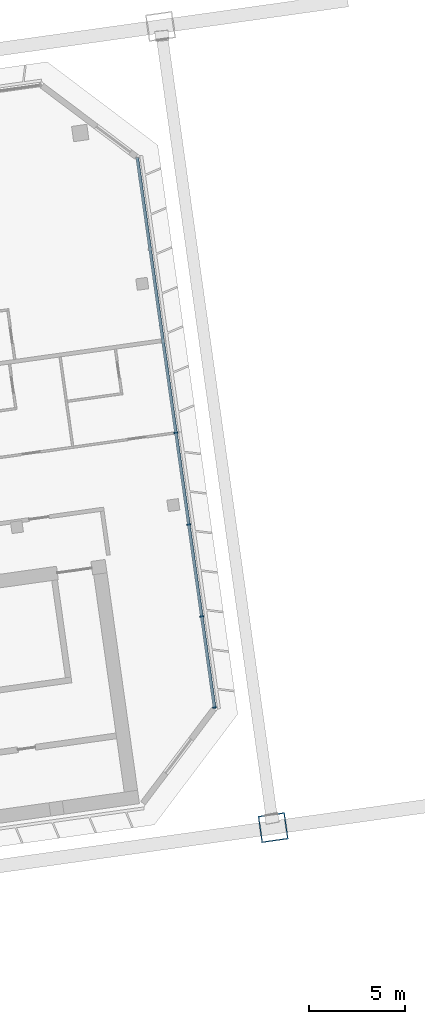
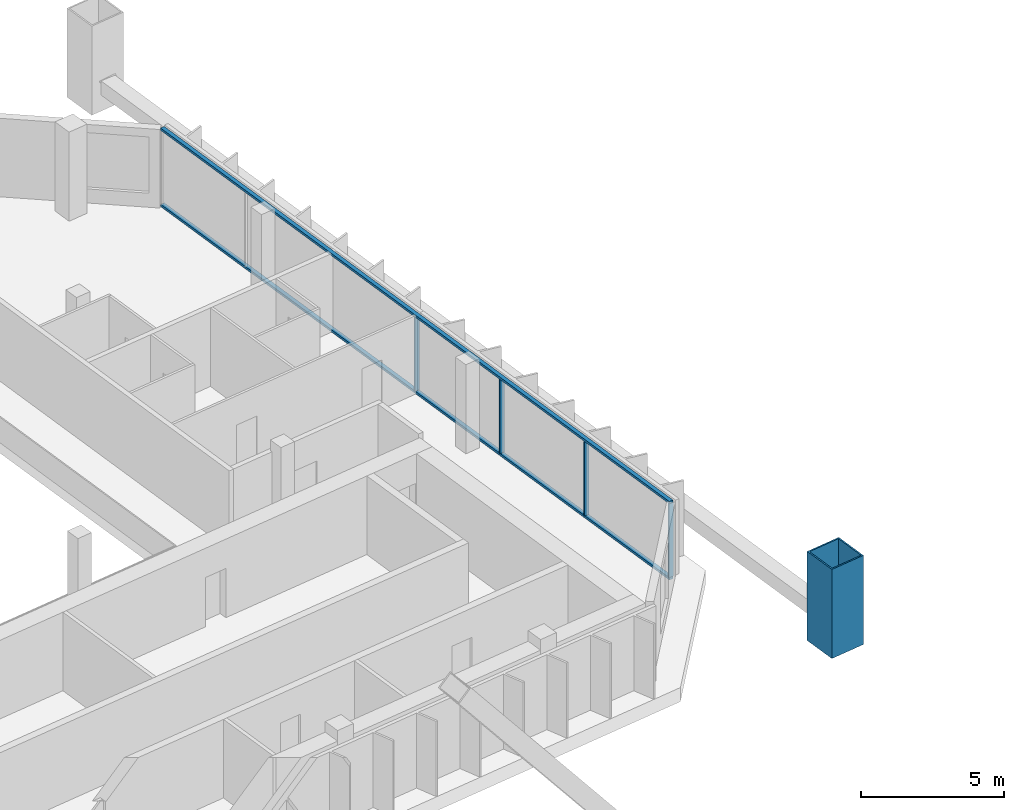
# One storey, part 16 of 38: 7 members, 1 element without a shape of its own.
"""IFC4 building model written with IfcOpenShell, lengths in metres."""

import ifcopenshell
import ifcopenshell.guid

model = None  # the IFC model being written
_history = None  # IfcOwnerHistory: only IFC2X3 demands one
_inside = {}  # id of a spatial element -> (the spatial element, [elements in it])
_under = {}  # id of a project, library or spatial element -> (it, [spatial elements below it])
_declared = {}  # id of a project -> (the project, [libraries it declares])
_typed = {}  # id of a type object -> (the type object, [elements of that type])
_made_of = {}  # id of a material, layer set ... -> (it, [elements and type objects made of it])


def new_model(schema):
    """Start an empty IFC model of exactly this schema.

    Asked for "IFC4X3", IfcOpenShell would pick the latest addendum, in which some entities
    have other attributes; the version numbers below select the first issue.
    IFC2X3 requires an IfcOwnerHistory on every rooted entity: one is made here for all.
    """
    global model, _history
    if schema == "IFC4X3":
        model = ifcopenshell.file(schema_version=(4, 3, 0, 0))
    else:
        model = ifcopenshell.file(schema=schema)
    _inside.clear()
    _under.clear()
    _declared.clear()
    _typed.clear()
    _made_of.clear()
    _history = None
    if model.schema == "IFC2X3":
        org = make("IfcOrganization", Name="unknown")
        user = make(
            "IfcPersonAndOrganization",
            ThePerson=make("IfcPerson", FamilyName="unknown"),
            TheOrganization=org,
        )
        app = make(
            "IfcApplication",
            ApplicationDeveloper=org,
            Version="unknown",
            ApplicationFullName="unknown",
            ApplicationIdentifier="unknown",
        )
        _history = make(
            "IfcOwnerHistory",
            OwningUser=user,
            OwningApplication=app,
            ChangeAction="ADDED",
            CreationDate=0,
        )
    return model


def make(cls, **values):
    """One entity of the class cls with the attributes given. An attribute that is None is left unset."""
    return model.create_entity(
        cls, **{name: value for name, value in values.items() if value is not None}
    )


def rooted(cls, **values):
    """An entity with a GlobalId (a new one), such as an element, a storey or a relation."""
    return make(cls, GlobalId=ifcopenshell.guid.new(), OwnerHistory=_history, **values)


def si_unit(unit_type, name, prefix=None):
    """IfcSIUnit, for example si_unit("LENGTHUNIT", "METRE", prefix="MILLI")."""
    return make("IfcSIUnit", UnitType=unit_type, Prefix=prefix, Name=name)


def assignment(units):
    """IfcUnitAssignment: the units of a project."""
    return None if units is None else make("IfcUnitAssignment", Units=units)


def point(xyz):
    """IfcCartesianPoint."""
    return None if xyz is None else make("IfcCartesianPoint", Coordinates=xyz)


def direction(xyz):
    """IfcDirection."""
    return None if xyz is None else make("IfcDirection", DirectionRatios=xyz)


def frame(location, z_axis=None, x_axis=None):
    """IfcAxis2Placement3D, a coordinate frame: its origin and axes. An axis left out is left unset."""
    return make(
        "IfcAxis2Placement3D",
        Location=point(location),
        Axis=direction(z_axis),
        RefDirection=direction(x_axis),
    )


def frame_2d(location, x_axis=None):
    """IfcAxis2Placement2D, a coordinate frame in the plane: its origin and x axis."""
    return make(
        "IfcAxis2Placement2D", Location=point(location), RefDirection=direction(x_axis)
    )


def origin():
    """The frame at (0, 0, 0) with its axes left unset."""
    return frame((0.0, 0.0, 0.0))


def origin_2d():
    """The frame at (0, 0) in the plane with its x axis left unset."""
    return frame_2d((0.0, 0.0))


def place(relative_to, where):
    """IfcLocalPlacement: puts the frame where relative to a parent placement (None: the world)."""
    return make(
        "IfcLocalPlacement", PlacementRelTo=relative_to, RelativePlacement=where
    )


def context(
    kind, dimensions, precision=None, world=None, true_north=None, identifier=None
):
    """IfcGeometricRepresentationContext, for example the 3D "Model" context."""
    return make(
        "IfcGeometricRepresentationContext",
        ContextIdentifier=identifier,
        ContextType=kind,
        CoordinateSpaceDimension=dimensions,
        Precision=precision,
        WorldCoordinateSystem=world,
        TrueNorth=true_north,
    )


def subcontext(parent, identifier, kind, view, scale=None):
    """IfcGeometricRepresentationSubContext, for example "Body" below "Model"."""
    return make(
        "IfcGeometricRepresentationSubContext",
        ContextIdentifier=identifier,
        ContextType=kind,
        ParentContext=parent,
        TargetScale=scale,
        TargetView=view,
    )


def project(units=None, contexts=None):
    """IfcProject with its units and contexts."""
    return rooted(
        "IfcProject",
        Name="project",
        RepresentationContexts=contexts,
        UnitsInContext=assignment(units),
    )


def spatial(cls, under=None, at=None, **own):
    """A site, building, storey or space (cls), placed at a placement, below another one or the project."""
    s = rooted(cls, ObjectPlacement=at, **own)
    if under is not None:
        _under.setdefault(under.id(), (under, []))[1].append(s)
    return s


def profile(cls, at=None, kind="AREA", **sizes):
    """A parametric profile (cls). Its sizes go by their IFC names, for example OverallWidth=200.0."""
    return make(cls, ProfileType=kind, Position=at, **sizes)


def rectangle(**sizes):
    """IfcRectangleProfileDef."""
    return profile("IfcRectangleProfileDef", **sizes)


def hollow_rectangle(**sizes):
    """IfcRectangleHollowProfileDef."""
    return profile("IfcRectangleHollowProfileDef", **sizes)


def extrude(swept, where, along, depth):
    """IfcExtrudedAreaSolid: the profile swept, set in the frame where, extruded along a direction by depth."""
    return make(
        "IfcExtrudedAreaSolid",
        SweptArea=swept,
        Position=where,
        ExtrudedDirection=direction(along),
        Depth=depth,
    )


def shape(context_of_items, identifier, shape_type, items):
    """IfcShapeRepresentation: the items that make up one representation, for example the "Body"."""
    return make(
        "IfcShapeRepresentation",
        ContextOfItems=context_of_items,
        RepresentationIdentifier=identifier,
        RepresentationType=shape_type,
        Items=items,
    )


def material(Name=None, Category=None):
    """IfcMaterial."""
    return make("IfcMaterial", Name=Name, Category=Category)


def material_profile(
    of_material, cross_section, Name=None, Category=None, Priority=None
):
    """IfcMaterialProfile: a cross section and its material."""
    return make(
        "IfcMaterialProfile",
        Name=Name,
        Material=of_material,
        Profile=cross_section,
        Priority=Priority,
        Category=Category,
    )


def profile_set(profiles, Name=None, composite=None):
    """IfcMaterialProfileSet."""
    return make(
        "IfcMaterialProfileSet",
        Name=Name,
        MaterialProfiles=profiles,
        CompositeProfile=composite,
    )


def made_of(thing, what):
    """Note that an element or type object is made of a material, layer set ...; save() writes the relation."""
    if what is not None:
        _made_of.setdefault(what.id(), (what, []))[1].append(thing)
    return thing


def type_object(cls, material=None, **own):
    """A type object (cls), such as IfcWallType, which elements share."""
    return made_of(rooted(cls, **own), material)


def element(
    cls,
    number,
    at=None,
    inside=None,
    cuts=None,
    type_object=None,
    material=None,
    context=None,
    identifier="Body",
    shape_type=None,
    held_by="IfcProductDefinitionShape",
    body=None,
    shapes=None,
    **own,
):
    """One element of the class cls, such as IfcWall. Its Tag is "e" and its number.

    at: its placement. inside: the storey or other place that contains it. cuts: it is an
    opening in that element (IfcRelVoidsElement). A single representation is given by context,
    identifier, shape_type and body (its items); several are given by shapes. held_by: the class
    of the entity that holds the representations. save() writes the other relations.
    """
    e = rooted(cls, Tag="e%d" % number, ObjectPlacement=at, **own)
    if body is not None:
        shapes = [shape(context, identifier, shape_type, body)]
    if shapes is not None:
        e.Representation = make(held_by, Representations=shapes)
    if inside is not None:
        _inside.setdefault(inside.id(), (inside, []))[1].append(e)
    if cuts is not None:
        rooted(
            "IfcRelVoidsElement", RelatingBuildingElement=cuts, RelatedOpeningElement=e
        )
    if type_object is not None:
        _typed.setdefault(type_object.id(), (type_object, []))[1].append(e)
    return made_of(e, material)


def aggregate(whole, parts):
    """IfcRelAggregates: a whole, such as a stair, and the parts it consists of."""
    return rooted("IfcRelAggregates", RelatingObject=whole, RelatedObjects=parts)


def save(model, path):
    """Write the relations noted so far, then the file.

    IfcRelAggregates (storeys below a building ...), IfcRelContainedInSpatialStructure (elements
    in a storey), IfcRelDefinesByType, IfcRelAssociatesMaterial and IfcRelDeclares: one each for
    every whole, place, type object, material and project.
    """
    for whole, parts in _under.values():
        aggregate(whole, parts)
    for where, things in _inside.values():
        rooted(
            "IfcRelContainedInSpatialStructure",
            RelatedElements=things,
            RelatingStructure=where,
        )
    for kind, things in _typed.values():
        rooted("IfcRelDefinesByType", RelatedObjects=things, RelatingType=kind)
    for what, things in _made_of.values():
        rooted("IfcRelAssociatesMaterial", RelatedObjects=things, RelatingMaterial=what)
    for by, libraries in _declared.values():
        rooted("IfcRelDeclares", RelatingContext=by, RelatedDefinitions=libraries)
    model.write(path)


model = new_model("IFC4")

# Units and contexts
model_context = context("Model", 3, precision=1e-05, world=origin(), true_north=direction((0.0, 1.0)))
body_context = subcontext(model_context, "Body", "Model", "MODEL_VIEW")
ifc_project = project(units=[si_unit("LENGTHUNIT", "METRE"), si_unit("AREAUNIT", "SQUARE_METRE"), si_unit("VOLUMEUNIT", "CUBIC_METRE"), si_unit("PLANEANGLEUNIT", "RADIAN"), si_unit("MASSUNIT", "GRAM", prefix="KILO")], contexts=[model_context])

# Site, building, storey
site_placement = place(None, origin())
site = spatial("IfcSite", under=ifc_project, at=site_placement, CompositionType="ELEMENT")
building_placement = place(site_placement, origin())
building = spatial("IfcBuilding", under=site, at=building_placement, Name="Mirante Cascada Hotel Towers", CompositionType="ELEMENT")
storey_placement = place(building_placement, frame((0.0, 0.0, 184.0)))
storey = spatial("IfcBuildingStorey", under=building, at=storey_placement, Name="L43", CompositionType="ELEMENT", Elevation=184.0)

# Member
ifc_material_1 = material(Name="Steel ASTM A572 Gr 50", Category="steel")
ifc_material_profile_1 = material_profile(ifc_material_1, hollow_rectangle(XDim=1.4, YDim=1.4, WallThickness=0.06, at=origin_2d()), Name="Box post 1400x1400x60 ASTM A572 Gr 50")
ifc_profile_set_1 = profile_set([ifc_material_profile_1], Name="Steel ASTM A572 Gr 50")
member_type_1 = type_object("IfcMemberType", Name="Box post 1400x1400x60 ASTM A572 Gr 50", PredefinedType="POST", material=ifc_profile_set_1)
member_1_placement = place(storey_placement, frame((88.3776, -15.0019, 0.0), z_axis=(0.0, 0.0, 1.0), x_axis=(0.9902681, 0.1391731, 0.0)))
element("IfcMember", 1, at=member_1_placement, inside=storey, type_object=member_type_1, Name="Mega column MP4 T2 L43", PredefinedType="POST", context=body_context, shape_type="SweptSolid", body=[
    extrude(hollow_rectangle(XDim=1.4, YDim=1.4, WallThickness=0.06, at=origin_2d()), origin(), (0.0, 0.0, 1.0), 3.8),
])

# Curtain wall, members
ifc_material_2 = material(Name="Aluminium mullion and transom frame with clear laminated glass", Category="aluminium")
curtain_wall_type = type_object("IfcCurtainWallType", Name="End ribbon curtain wall ECW2", PredefinedType="NOTDEFINED", material=ifc_material_2)
curtain_wall_placement = place(storey_placement, origin())
curtain_wall = element("IfcCurtainWall", 2, at=curtain_wall_placement, inside=storey, type_object=curtain_wall_type, Name="Outer end wall T2 L43", PredefinedType="NOTDEFINED")
ifc_material_3 = material(Name="Anodised aluminium extrusion", Category="aluminium")
ifc_material_profile_2 = material_profile(ifc_material_3, rectangle(XDim=0.2, YDim=0.065, at=origin_2d()), Name="ECW2 MULLION 65x200")
ifc_profile_set_2 = profile_set([ifc_material_profile_2], Name="Anodised aluminium extrusion")
member_type_2 = type_object("IfcMemberType", Name="ECW2 mullion 65x200", PredefinedType="MULLION", material=ifc_profile_set_2)
member_2_placement = place(storey_placement, frame((85.3308, -8.7707, 0.1), z_axis=(0.0, 0.0, 1.0), x_axis=(-0.9902681, -0.1391731, 0.0)))
member_2 = element("IfcMember", 3, at=member_2_placement, type_object=member_type_2, Name="ECW2 mullion 1", PredefinedType="MULLION", context=body_context, shape_type="SweptSolid", body=[
    extrude(rectangle(XDim=0.2, YDim=0.065, at=origin_2d()), origin(), (0.0, 0.0, 1.0), 3.15),
])
member_3_placement = place(storey_placement, frame((84.6655, -4.0371, 0.1), z_axis=(0.0, 0.0, 1.0), x_axis=(-0.9902681, -0.1391731, 0.0)))
member_3 = element("IfcMember", 4, at=member_3_placement, type_object=member_type_2, Name="ECW2 mullion 2", PredefinedType="MULLION", context=body_context, shape_type="SweptSolid", body=[
    extrude(rectangle(XDim=0.2, YDim=0.065, at=origin_2d()), origin(), (0.0, 0.0, 1.0), 3.15),
])
member_4_placement = place(storey_placement, frame((83.9957, 0.7287, 0.1), z_axis=(0.0, 0.0, 1.0), x_axis=(-0.9902681, -0.1391731, 0.0)))
member_4 = element("IfcMember", 5, at=member_4_placement, type_object=member_type_2, Name="ECW2 mullion 3", PredefinedType="MULLION", context=body_context, shape_type="SweptSolid", body=[
    extrude(rectangle(XDim=0.2, YDim=0.065, at=origin_2d()), origin(), (0.0, 0.0, 1.0), 3.15),
])
member_5_placement = place(storey_placement, frame((83.3259, 5.4945, 0.1), z_axis=(0.0, 0.0, 1.0), x_axis=(-0.9902681, -0.1391731, 0.0)))
member_5 = element("IfcMember", 6, at=member_5_placement, type_object=member_type_2, Name="ECW2 mullion 4", PredefinedType="MULLION", context=body_context, shape_type="SweptSolid", body=[
    extrude(rectangle(XDim=0.2, YDim=0.065, at=origin_2d()), origin(), (0.0, 0.0, 1.0), 3.15),
])
ifc_material_4 = material(Name="Anodised aluminium extrusion", Category="aluminium")
ifc_material_profile_3 = material_profile(ifc_material_4, rectangle(XDim=0.16, YDim=0.1, at=origin_2d()), Name="ECW2 TRANSOM 100x160")
ifc_profile_set_3 = profile_set([ifc_material_profile_3], Name="Anodised aluminium extrusion")
member_type_3 = type_object("IfcMemberType", Name="ECW2 transom 100x160", PredefinedType="USERDEFINED", material=ifc_profile_set_3)
member_6_placement = place(storey_placement, frame((85.3353, -8.8029, 0.05), z_axis=(-0.1391723, 0.9902682, 0.0), x_axis=(-0.9902682, -0.1391723, 0.0)))
member_6 = element("IfcMember", 7, at=member_6_placement, type_object=member_type_3, Name="ECW2 sill transom", ObjectType="TRANSOM", PredefinedType="USERDEFINED", context=body_context, shape_type="SweptSolid", body=[
    extrude(rectangle(XDim=0.16, YDim=0.1, at=origin_2d()), origin(), (0.0, 0.0, 1.0), 28.8757),
])
member_7_placement = place(storey_placement, frame((85.3353, -8.8029, 3.3), z_axis=(-0.1391723, 0.9902682, 0.0), x_axis=(-0.9902682, -0.1391723, 0.0)))
member_7 = element("IfcMember", 8, at=member_7_placement, type_object=member_type_3, Name="ECW2 head transom", ObjectType="TRANSOM", PredefinedType="USERDEFINED", context=body_context, shape_type="SweptSolid", body=[
    extrude(rectangle(XDim=0.16, YDim=0.1, at=origin_2d()), origin(), (0.0, 0.0, 1.0), 28.8757),
])
aggregate(curtain_wall, [member_6, member_7, member_2, member_3, member_4, member_5])

save(model, "model.ifc")
